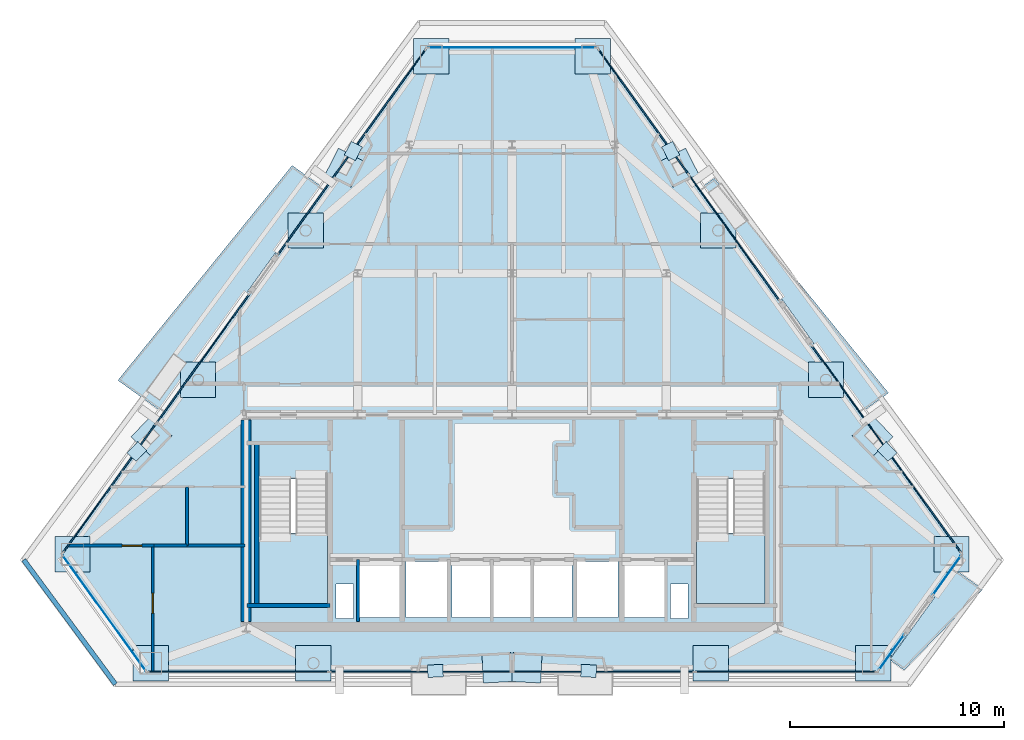
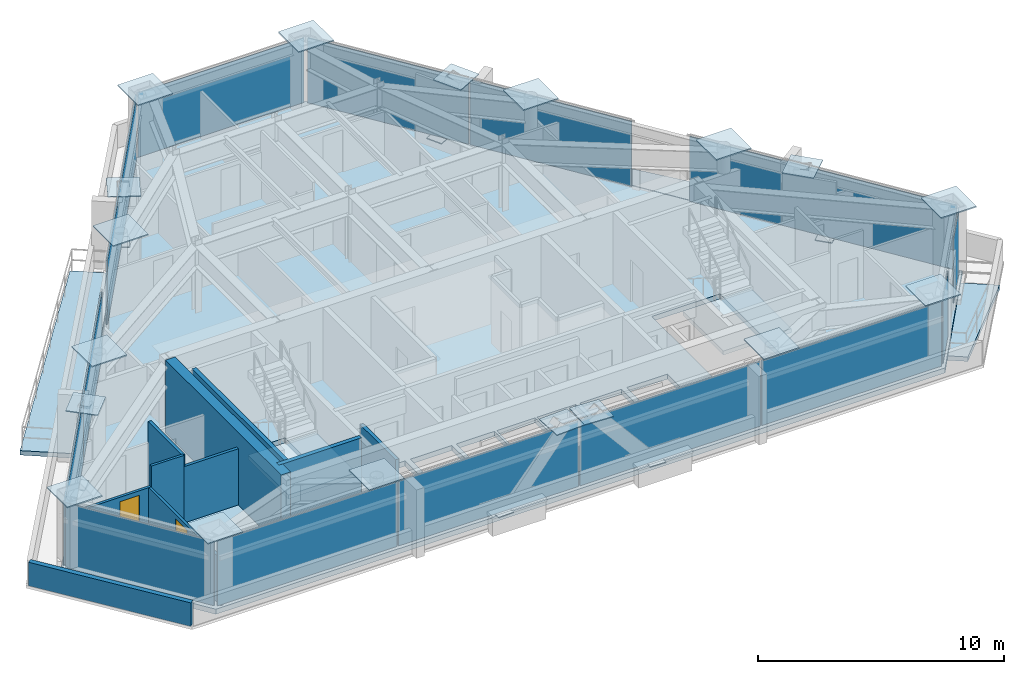
# One storey, part 6 of 11: 38 plates, 10 walls, 6 slabs, 2 doors, 2 openings, 11 elements without a shape of their own.
"""IFC4 building model written with IfcOpenShell, lengths in metres."""

from ifc_helpers import new_model, si_unit, direction, frame, frame_2d, origin, origin_2d, place, context, subcontext, project, spatial, polyline, rectangle, outline, extrude, source, transform, mapped, material, layer, layer_set, type_object, type_shapes, element, fill, aggregate, save


model = new_model("IFC4")

# Units and contexts
model_context = context("Model", 3, precision=1e-05, world=origin(), true_north=direction((0.0, 1.0)))
body_context = subcontext(model_context, "Body", "Model", "MODEL_VIEW")
ifc_project = project(units=[si_unit("LENGTHUNIT", "METRE"), si_unit("AREAUNIT", "SQUARE_METRE"), si_unit("VOLUMEUNIT", "CUBIC_METRE"), si_unit("PLANEANGLEUNIT", "RADIAN"), si_unit("MASSUNIT", "GRAM", prefix="KILO")], contexts=[model_context])

# Site, building, storey
site_placement = place(None, origin())
site = spatial("IfcSite", under=ifc_project, at=site_placement, CompositionType="ELEMENT")
building_placement = place(site_placement, origin())
building = spatial("IfcBuilding", under=site, at=building_placement, Name="Talgorran Terracotta Tower", CompositionType="ELEMENT")
storey_placement = place(building_placement, frame((0.0, 0.0, 185.699951171875)))
storey = spatial("IfcBuildingStorey", under=building, at=storey_placement, Name="L48", CompositionType="ELEMENT", Elevation=185.699951171875)

# Plates
ifc_material_1 = material(Name="Steel Grade 350 (350L0)", Category="steel")
ifc_layer_1 = layer(ifc_material_1, 0.031982421875, Name="PL_CAP_MN07")
ifc_layer_set_1 = layer_set([ifc_layer_1], Name="Steel Grade 350 (350L0)")
plate_type_1 = type_object("IfcPlateType", Name="PL_CAP_MN07", PredefinedType="USERDEFINED", material=ifc_layer_set_1)
for number, where, z_axis, x_axis, name in (
    (1, (-3.57421875, -16.1455078125, -0.005859375), (0.0, 0.0, 1.0), (0.998745710682, 0.050070004933, 0.0), "L48 Diagonal Frame End Cap SWF Bot"),
    (2, (3.57421875, -16.1455078125, -0.005859375), (0.0, 0.0, 1.0), (-0.998745710682, 0.050070004933, 0.0), "L48 Diagonal Frame End Cap SEF Bot"),
    (3, (17.489013671875, -5.918701171875, -0.005859375), (0.0, 0.0, 1.0), (-0.692898619766, 0.721035021845, 0.0), "L48 Diagonal Frame End Cap NEL Bot"),
    (4, (7.398681640625, 8.092041015625, -0.005859375), (0.0, 0.0, 1.0), (0.456166281949, -0.889894557357, 0.0), "L48 Diagonal Frame End Cap NEU Bot"),
    (5, (-7.398681640625, 8.092041015625, -0.005859375), (0.0, 0.0, 1.0), (-0.456166281949, -0.889894557357, 0.0), "L48 Diagonal Frame End Cap NWU Bot"),
    (6, (-17.489013671875, -5.918701171875, -0.005859375), (0.0, 0.0, 1.0), (0.692898619766, 0.721035021845, 0.0), "L48 Diagonal Frame End Cap NWL Bot"),
):
    element("IfcPlate", number, at=place(storey_placement, frame(where, z_axis=z_axis, x_axis=x_axis)), inside=storey, type_object=plate_type_1, Name=name, ObjectType="CAP PLATE", PredefinedType="USERDEFINED", context=body_context, shape_type="SweptSolid", body=[
        extrude(rectangle(XDim=0.719970703125, YDim=0.580078125, at=origin_2d()), origin(), (0.0, 0.0, 1.0), 0.031982421875),
    ])
ifc_layer_2 = layer(ifc_material_1, 0.06005859375, Name="PL_NODE_MN01")
ifc_layer_set_2 = layer_set([ifc_layer_2], Name="Steel Grade 350 (350L0)")
plate_type_2 = type_object("IfcPlateType", Name="PL_NODE_MN01", PredefinedType="USERDEFINED", material=ifc_layer_set_2)
for number, where, z_axis, x_axis, name in (
    (7, (-20.49365234375, -10.706787109375, 3.5849609375), (0.0, 0.0, 1.0), (1.0, 0.0, 0.0), "L48 Mega-Column Cap Plate MC1"),
    (8, (-16.8359375, -15.78564453125, 3.5849609375), (0.0, 0.0, 1.0), (1.0, 0.0, 0.0), "L48 Mega-Column Cap Plate MC2"),
    (9, (16.8359375, -15.78564453125, 3.5849609375), (0.0, 0.0, 1.0), (1.0, 0.0, 0.0), "L48 Mega-Column Cap Plate MC3"),
    (10, (20.49365234375, -10.706787109375, 3.5849609375), (0.0, 0.0, 1.0), (1.0, 0.0, 0.0), "L48 Mega-Column Cap Plate MC4"),
    (11, (3.765869140625, 12.52001953125, 3.5849609375), (0.0, 0.0, 1.0), (1.0, 0.0, 0.0), "L48 Mega-Column Cap Plate MC5"),
    (12, (-3.765869140625, 12.52001953125, 3.5849609375), (0.0, 0.0, 1.0), (1.0, 0.0, 0.0), "L48 Mega-Column Cap Plate MC6"),
    (13, (-9.259765625, -15.78564453125, 3.5849609375), (0.0, 0.0, 1.0), (1.0, 0.0, 0.0), "L48 Facet Column Cap Plate FC1"),
    (14, (9.259765625, -15.78564453125, 3.5849609375), (0.0, 0.0, 1.0), (1.0, 0.0, 0.0), "L48 Facet Column Cap Plate FC2"),
    (15, (14.638916015625, -2.577392578125, 3.5849609375), (0.0, 0.0, 1.0), (1.0, 0.0, 0.0), "L48 Facet Column Cap Plate FC3"),
    (16, (9.62060546875, 4.390625, 3.5849609375), (0.0, 0.0, 1.0), (1.0, 0.0, 0.0), "L48 Facet Column Cap Plate FC4"),
    (17, (-9.62060546875, 4.390625, 3.5849609375), (0.0, 0.0, 1.0), (1.0, 0.0, 0.0), "L48 Facet Column Cap Plate FC5"),
    (18, (-14.638916015625, -2.577392578125, 3.5849609375), (0.0, 0.0, 1.0), (1.0, 0.0, 0.0), "L48 Facet Column Cap Plate FC6"),
):
    element("IfcPlate", number, at=place(storey_placement, frame(where, z_axis=z_axis, x_axis=x_axis)), inside=storey, type_object=plate_type_2, Name=name, ObjectType="NODE PLATE", PredefinedType="USERDEFINED", context=body_context, shape_type="SweptSolid", body=[
        extrude(rectangle(XDim=1.64990234375, YDim=1.64990234375, at=origin_2d()), origin(), (0.0, 0.0, 1.0), 0.06005859375),
    ])
ifc_layer_3 = layer(ifc_material_1, 0.050048828125, Name="PL_NODE_MN03")
ifc_layer_set_3 = layer_set([ifc_layer_3], Name="Steel Grade 350 (350L0)")
plate_type_3 = type_object("IfcPlateType", Name="PL_NODE_MN03", PredefinedType="USERDEFINED", material=ifc_layer_set_3)
for number, where, z_axis, x_axis, name in (
    (19, (-0.694580078125, -16.001220703125, 3.31494140625), (0.0, 0.0, 1.0), (0.998745710682, 0.050070004933, 0.0), "L48 Diagonal Frame End Cap SWF Top"),
    (20, (0.694580078125, -16.001220703125, 3.31494140625), (0.0, 0.0, 1.0), (-0.998745710682, 0.050070004933, 0.0), "L48 Diagonal Frame End Cap SEF Top"),
    (21, (16.80810546875, -5.210205078125, 3.31494140625), (0.0, 0.0, 1.0), (-0.692898619766, 0.721035021845, 0.0), "L48 Diagonal Frame End Cap NEL Top"),
    (22, (7.7958984375, 7.31689453125, 3.31494140625), (0.0, 0.0, 1.0), (0.456166281949, -0.889894557357, 0.0), "L48 Diagonal Frame End Cap NEU Top"),
    (23, (-7.7958984375, 7.31689453125, 3.31494140625), (0.0, 0.0, 1.0), (-0.456166281949, -0.889894557357, 0.0), "L48 Diagonal Frame End Cap NWU Top"),
    (24, (-16.80810546875, -5.210205078125, 3.31494140625), (0.0, 0.0, 1.0), (0.692898619766, 0.721035021845, 0.0), "L48 Diagonal Frame End Cap NWL Top"),
):
    element("IfcPlate", number, at=place(storey_placement, frame(where, z_axis=z_axis, x_axis=x_axis)), inside=storey, type_object=plate_type_3, Name=name, ObjectType="NODE PLATE", PredefinedType="USERDEFINED", context=body_context, shape_type="SweptSolid", body=[
        extrude(rectangle(XDim=1.35009765625, YDim=1.35009765625, at=origin_2d()), origin(), (0.0, 0.0, 1.0), 0.050048828125),
    ])

# Slabs
ifc_material_2 = material(Name="Concrete C40/50", Category="concrete")
ifc_layer_4 = layer(ifc_material_2, 0.219970703125, Name="SL_BALCONY_220")
ifc_layer_set_4 = layer_set([ifc_layer_4], Name="Concrete C40/50")
slab_type_1 = type_object("IfcSlabType", Name="SL_BALCONY_220", PredefinedType="FLOOR", material=ifc_layer_set_4)
slab_1_placement = place(storey_placement, frame((0.0, 0.0, -0.219970703125)))
element("IfcSlab", 25, at=slab_1_placement, inside=storey, type_object=slab_type_1, Name="L48 Outdoor Wave Balcony BAL-NE", PredefinedType="FLOOR", context=body_context, shape_type="SweptSolid", body=[
    extrude(outline(polyline([(8.8330078125, 6.399658203125), (16.35791015625, -4.048828125), (17.554443359375, -3.187255859375), (9.428466796875, 6.82861328125), (8.8330078125, 6.399658203125)])), origin(), (0.0, 0.0, 1.0), 0.219970703125),
])
slab_2_placement = place(storey_placement, frame((0.0, 0.0, -0.219970703125)))
element("IfcSlab", 26, at=slab_2_placement, inside=storey, type_object=slab_type_1, Name="L48 Outdoor Wave Balcony BAL-NW", PredefinedType="FLOOR", context=body_context, shape_type="SweptSolid", body=[
    extrude(outline(polyline([(-16.35791015625, -4.048828125), (-8.8330078125, 6.399658203125), (-10.24951171875, 7.419921875), (-18.37548828125, -2.595947265625), (-16.35791015625, -4.048828125)])), origin(), (0.0, 0.0, 1.0), 0.219970703125),
])
slab_3_placement = place(storey_placement, frame((0.0, 0.0, -0.219970703125)))
element("IfcSlab", 27, at=slab_3_placement, inside=storey, type_object=slab_type_1, Name="L48 Outdoor Wave Balcony BAL-SE", PredefinedType="FLOOR", context=body_context, shape_type="SweptSolid", body=[
    extrude(outline(polyline([(20.64990234375, -11.4052734375), (17.611083984375, -15.62451171875), (18.28125, -16.107177734375), (21.946533203125, -12.339111328125), (20.64990234375, -11.4052734375)])), origin(), (0.0, 0.0, 1.0), 0.219970703125),
])

# Stair, slab
stair_type = type_object("IfcStairType", Name="ST_FIRE_SCISSOR", PredefinedType="HALF_TURN_STAIR", material=ifc_material_2)
stair_1_placement = place(storey_placement, origin())
stair_1 = element("IfcStair", 28, at=stair_1_placement, inside=storey, type_object=stair_type, Name="L48 West Protected Fire Stair ST-01", PredefinedType="HALF_TURN_STAIR")
ifc_layer_5 = layer(ifc_material_2, 0.199951171875, Name="SL_LANDING_200")
ifc_layer_set_5 = layer_set([ifc_layer_5], Name="Concrete C40/50")
slab_type_2 = type_object("IfcSlabType", Name="SL_LANDING_200", PredefinedType="LANDING", material=ifc_layer_set_5)
slab_4_placement = place(storey_placement, frame((0.0, 0.0, 1.60009765625)))
slab_4 = element("IfcSlab", 29, at=slab_4_placement, type_object=slab_type_2, Name="ST-01 landing 1", PredefinedType="LANDING", context=body_context, shape_type="SweptSolid", body=[
    extrude(outline(polyline([(-11.800048828125, -9.719970703125), (-11.800048828125, -13.0), (-8.60009765625, -13.0), (-8.60009765625, -9.719970703125), (-11.800048828125, -9.719970703125)])), origin(), (0.0, 0.0, 1.0), 0.199951171875),
])
aggregate(stair_1, [slab_4])

stair_2_placement = place(storey_placement, origin())
stair_2 = element("IfcStair", 30, at=stair_2_placement, inside=storey, type_object=stair_type, Name="L48 East Protected Fire Stair ST-02", PredefinedType="HALF_TURN_STAIR")
slab_5_placement = place(storey_placement, frame((0.0, 0.0, 1.60009765625)))
slab_5 = element("IfcSlab", 31, at=slab_5_placement, type_object=slab_type_2, Name="ST-02 landing 1", PredefinedType="LANDING", context=body_context, shape_type="SweptSolid", body=[
    extrude(outline(polyline([(8.60009765625, -9.719970703125), (8.60009765625, -13.0), (11.800048828125, -13.0), (11.800048828125, -9.719970703125), (8.60009765625, -9.719970703125)])), origin(), (0.0, 0.0, 1.0), 0.199951171875),
])
aggregate(stair_2, [slab_5])

# Slab
ifc_layer_6 = layer(ifc_material_2, 0.25, Name="SL_TOWER_250")
ifc_layer_set_6 = layer_set([ifc_layer_6], Name="Concrete C40/50")
slab_type_3 = type_object("IfcSlabType", Name="SL_TOWER_250", PredefinedType="FLOOR", material=ifc_layer_set_6)
slab_6_placement = place(storey_placement, frame((0.0, 0.0, -0.25)))
element("IfcSlab", 32, at=slab_6_placement, inside=storey, type_object=slab_type_3, Name="Storey L48 Structural Floor Slab", PredefinedType="FLOOR", context=body_context, shape_type="SweptSolid", body=[
    extrude(outline(polyline([(-21.134521484375, -10.706787109375), (-17.102294921875, -16.3056640625), (17.102294921875, -16.3056640625), (21.134521484375, -10.706787109375), (4.0322265625, 13.0400390625), (-4.0322265625, 13.0400390625), (-21.134521484375, -10.706787109375)]), holes=[polyline([(-11.800048828125, -7.199951171875), (-11.800048828125, -13.0), (-8.60009765625, -13.0), (-8.60009765625, -7.199951171875), (-11.800048828125, -7.199951171875)]), polyline([(8.60009765625, -7.199951171875), (8.60009765625, -13.0), (11.800048828125, -13.0), (11.800048828125, -7.199951171875), (8.60009765625, -7.199951171875)]), polyline([(-7.10009765625, -13.64990234375), (-5.199951171875, -13.64990234375), (-5.199951171875, -11.050048828125), (-7.10009765625, -11.050048828125), (-7.10009765625, -13.64990234375)]), polyline([(5.199951171875, -13.64990234375), (7.10009765625, -13.64990234375), (7.10009765625, -11.050048828125), (5.199951171875, -11.050048828125), (5.199951171875, -13.64990234375)]), polyline([(3.0, -13.64990234375), (4.949951171875, -13.64990234375), (4.949951171875, -11.050048828125), (3.0, -11.050048828125), (3.0, -13.64990234375)]), polyline([(-4.949951171875, -13.64990234375), (-3.0, -13.64990234375), (-3.0, -11.050048828125), (-4.949951171875, -11.050048828125), (-4.949951171875, -13.64990234375)]), polyline([(-2.800048828125, -13.64990234375), (-1.0, -13.64990234375), (-1.0, -11.050048828125), (-2.800048828125, -11.050048828125), (-2.800048828125, -13.64990234375)]), polyline([(-0.89990234375, -13.64990234375), (0.89990234375, -13.64990234375), (0.89990234375, -11.050048828125), (-0.89990234375, -11.050048828125), (-0.89990234375, -13.64990234375)]), polyline([(1.0, -13.64990234375), (2.800048828125, -13.64990234375), (2.800048828125, -11.050048828125), (1.0, -11.050048828125), (1.0, -13.64990234375)]), polyline([(-8.199951171875, -13.699951171875), (-7.39990234375, -13.699951171875), (-7.39990234375, -12.10009765625), (-8.199951171875, -12.10009765625), (-8.199951171875, -13.699951171875)]), polyline([(7.39990234375, -13.699951171875), (8.199951171875, -13.699951171875), (8.199951171875, -12.10009765625), (7.39990234375, -12.10009765625), (7.39990234375, -13.699951171875)])]), origin(), (0.0, 0.0, 1.0), 0.25),
])

# Curtain wall, plate
ifc_material_3 = material(Name="High-Wind Unitised Glazing", Category="glass")
ifc_layer_7 = layer(ifc_material_3, 0.2099609375, Name="CW_SYS3_RES_HIGH")
ifc_layer_set_7 = layer_set([ifc_layer_7], Name="High-Wind Unitised Glazing")
curtain_wall_type = type_object("IfcCurtainWallType", Name="CW_SYS3_RES_HIGH", PredefinedType="NOTDEFINED", material=ifc_layer_set_7)
curtain_wall_1_placement = place(storey_placement, origin())
curtain_wall_1 = element("IfcCurtainWall", 33, at=curtain_wall_1_placement, inside=storey, type_object=curtain_wall_type, Name="CW-L48-F0", PredefinedType="NOTDEFINED")
ifc_material_4 = material(Name="High-Wind Acoustic Vision Glass", Category="glass")
ifc_layer_8 = layer(ifc_material_4, 0.031982421875, Name="PLT_VISION_32")
ifc_layer_set_8 = layer_set([ifc_layer_8], Name="High-Wind Acoustic Vision Glass")
plate_type_4 = type_object("IfcPlateType", Name="PLT_VISION_32", PredefinedType="CURTAIN_PANEL", material=ifc_layer_set_8)
shared_shape_1 = source(origin(), body_context, "Body", "SweptSolid", [
    extrude(rectangle(XDim=6.61181640625, YDim=0.031982421875, at=origin_2d()), origin(), (0.0, 0.0, 1.0), 3.2099609375),
])
plate_1_placement = place(storey_placement, frame((-19.013671875, -13.4462890625, 0.070068359375), z_axis=(0.0, 0.0, 1.0), x_axis=(0.584408506612, -0.811459609223, 0.0)))
plate_1 = element("IfcPlate", 34, at=plate_1_placement, type_object=plate_type_4, Name="CW-L48-0 panel 1.1", PredefinedType="CURTAIN_PANEL", context=body_context, shape_type="MappedRepresentation", body=[
    mapped(shared_shape_1, transform((0.0, 0.0, 0.0), scale=1.0)),
])
aggregate(curtain_wall_1, [plate_1])

# Curtain wall, plates
curtain_wall_2_placement = place(storey_placement, origin())
curtain_wall_2 = element("IfcCurtainWall", 35, at=curtain_wall_2_placement, inside=storey, type_object=curtain_wall_type, Name="CW-L48-F1", PredefinedType="NOTDEFINED")
ifc_material_5 = material(Name="Terracotta Insulated Spandrel", Category="masonry")
ifc_layer_9 = layer(ifc_material_5, 0.06494140625, Name="PLT_SPANDREL_TERRA")
ifc_layer_set_9 = layer_set([ifc_layer_9], Name="Terracotta Insulated Spandrel")
plate_type_5 = type_object("IfcPlateType", Name="PLT_SPANDREL_TERRA", PredefinedType="SHEET", material=ifc_layer_set_9)
shared_shape_2 = source(origin(), body_context, "Body", "SweptSolid", [
    extrude(rectangle(XDim=8.415283203125, YDim=0.06494140625, at=origin_2d()), origin(), (0.0, 0.0, 1.0), 3.2099609375),
])
plate_2_placement = place(storey_placement, frame((-12.76318359375, -16.185546875, 0.070068359375), z_axis=(0.0, 0.0, 1.0), x_axis=(1.0, 0.0, 0.0)))
plate_2 = element("IfcPlate", 36, at=plate_2_placement, type_object=plate_type_5, Name="CW-L48-1 panel 1.1", PredefinedType="CURTAIN_PANEL", context=body_context, shape_type="MappedRepresentation", body=[
    mapped(shared_shape_2, transform((0.0, 0.0, 0.0), scale=1.0)),
])
plate_3_placement = place(storey_placement, frame((12.76318359375, -16.185546875, 0.070068359375), z_axis=(0.0, 0.0, 1.0), x_axis=(1.0, 0.0, 0.0)))
plate_3 = element("IfcPlate", 37, at=plate_3_placement, type_object=plate_type_5, Name="CW-L48-1 panel 4.1", PredefinedType="CURTAIN_PANEL", context=body_context, shape_type="MappedRepresentation", body=[
    mapped(shared_shape_2, transform((0.0, 0.0, 0.0), scale=1.0)),
])
shared_shape_3 = source(origin(), body_context, "Body", "SweptSolid", [
    extrude(rectangle(XDim=8.450439453125, YDim=0.06494140625, at=origin_2d()), origin(), (0.0, 0.0, 1.0), 3.2099609375),
])
plate_4_placement = place(storey_placement, frame((-4.26025390625, -16.185546875, 0.070068359375), z_axis=(0.0, 0.0, 1.0), x_axis=(1.0, 0.0, 0.0)))
plate_4 = element("IfcPlate", 38, at=plate_4_placement, type_object=plate_type_5, Name="CW-L48-1 panel 2.1", PredefinedType="CURTAIN_PANEL", context=body_context, shape_type="MappedRepresentation", body=[
    mapped(shared_shape_3, transform((0.0, 0.0, 0.0), scale=1.0)),
])
plate_5_placement = place(storey_placement, frame((4.26025390625, -16.185546875, 0.070068359375), z_axis=(0.0, 0.0, 1.0), x_axis=(1.0, 0.0, 0.0)))
plate_5 = element("IfcPlate", 39, at=plate_5_placement, type_object=plate_type_5, Name="CW-L48-1 panel 3.1", PredefinedType="CURTAIN_PANEL", context=body_context, shape_type="MappedRepresentation", body=[
    mapped(shared_shape_3, transform((0.0, 0.0, 0.0), scale=1.0)),
])
aggregate(curtain_wall_2, [plate_2, plate_4, plate_5, plate_3])

# Curtain wall, plate
curtain_wall_3_placement = place(storey_placement, origin())
curtain_wall_3 = element("IfcCurtainWall", 40, at=curtain_wall_3_placement, inside=storey, type_object=curtain_wall_type, Name="CW-L48-F30", PredefinedType="NOTDEFINED")
shared_shape_4 = source(origin(), body_context, "Body", "SweptSolid", [
    extrude(rectangle(XDim=2.01171875, YDim=0.031982421875, at=origin_2d()), origin(), (0.0, 0.0, 1.0), 3.2099609375),
])
plate_6_placement = place(storey_placement, frame((17.69287109375, -15.280029296875, 0.070068359375), z_axis=(0.0, 0.0, 1.0), x_axis=(0.584398990267, 0.811466462754, 0.0)))
plate_6 = element("IfcPlate", 41, at=plate_6_placement, type_object=plate_type_4, Name="CW-L48-30 panel 1.1", PredefinedType="CURTAIN_PANEL", context=body_context, shape_type="MappedRepresentation", body=[
    mapped(shared_shape_4, transform((0.0, 0.0, 0.0), scale=1.0)),
])
aggregate(curtain_wall_3, [plate_6])

curtain_wall_4_placement = place(storey_placement, origin())
curtain_wall_4 = element("IfcCurtainWall", 42, at=curtain_wall_4_placement, inside=storey, type_object=curtain_wall_type, Name="CW-L48-F31", PredefinedType="NOTDEFINED")
shared_shape_5 = source(origin(), body_context, "Body", "SweptSolid", [
    extrude(rectangle(XDim=2.219970703125, YDim=0.031982421875, at=origin_2d()), origin(), (0.0, 0.0, 1.0), 3.2099609375),
])
plate_7_placement = place(storey_placement, frame((20.273681640625, -11.69677734375, 0.070068359375), z_axis=(0.0, 0.0, 1.0), x_axis=(0.584416347221, 0.811453962404, 0.0)))
plate_7 = element("IfcPlate", 43, at=plate_7_placement, type_object=plate_type_4, Name="CW-L48-31 panel 1.1", PredefinedType="CURTAIN_PANEL", context=body_context, shape_type="MappedRepresentation", body=[
    mapped(shared_shape_5, transform((0.0, 0.0, 0.0), scale=1.0)),
])
aggregate(curtain_wall_4, [plate_7])

curtain_wall_5_placement = place(storey_placement, origin())
curtain_wall_5 = element("IfcCurtainWall", 44, at=curtain_wall_5_placement, inside=storey, type_object=curtain_wall_type, Name="CW-L48-F40", PredefinedType="NOTDEFINED")
shared_shape_6 = source(origin(), body_context, "Body", "SweptSolid", [
    extrude(rectangle(XDim=11.878662109375, YDim=0.06494140625, at=origin_2d()), origin(), (0.0, 0.0, 1.0), 3.2099609375),
])
plate_8_placement = place(storey_placement, frame((17.451416015625, -5.7978515625, 0.070068359375), z_axis=(0.0, 0.0, 1.0), x_axis=(-0.584406424461, 0.811461108772, 0.0)))
plate_8 = element("IfcPlate", 45, at=plate_8_placement, type_object=plate_type_5, Name="CW-L48-40 panel 1.1", PredefinedType="CURTAIN_PANEL", context=body_context, shape_type="MappedRepresentation", body=[
    mapped(shared_shape_6, transform((0.0, 0.0, 0.0), scale=1.0)),
])
aggregate(curtain_wall_5, [plate_8])

# Curtain wall, plates
curtain_wall_6_placement = place(storey_placement, origin())
curtain_wall_6 = element("IfcCurtainWall", 46, at=curtain_wall_6_placement, inside=storey, type_object=curtain_wall_type, Name="CW-L48-F41", PredefinedType="NOTDEFINED")
shared_shape_7 = source(origin(), body_context, "Body", "SweptSolid", [
    extrude(rectangle(XDim=7.173828125, YDim=0.06494140625, at=origin_2d()), origin(), (0.0, 0.0, 1.0), 3.2099609375),
])
plate_9_placement = place(storey_placement, frame((10.36474609375, 4.0419921875, 0.070068359375), z_axis=(0.0, 0.0, 1.0), x_axis=(-0.584410581777, 0.811458114697, 0.0)))
plate_9 = element("IfcPlate", 47, at=plate_9_placement, type_object=plate_type_5, Name="CW-L48-41 panel 1.1", PredefinedType="CURTAIN_PANEL", context=body_context, shape_type="MappedRepresentation", body=[
    mapped(shared_shape_7, transform((0.0, 0.0, 0.0), scale=1.0)),
])
plate_10_placement = place(storey_placement, frame((6.13134765625, 9.920166015625, 0.070068359375), z_axis=(0.0, 0.0, 1.0), x_axis=(-0.584410581777, 0.811458114697, 0.0)))
plate_10 = element("IfcPlate", 48, at=plate_10_placement, type_object=plate_type_5, Name="CW-L48-41 panel 2.1", PredefinedType="CURTAIN_PANEL", context=body_context, shape_type="MappedRepresentation", body=[
    mapped(shared_shape_7, transform((0.0, 0.0, 0.0), scale=1.0)),
])
aggregate(curtain_wall_6, [plate_9, plate_10])

# Curtain wall, plate
curtain_wall_7_placement = place(storey_placement, origin())
curtain_wall_7 = element("IfcCurtainWall", 49, at=curtain_wall_7_placement, inside=storey, type_object=curtain_wall_type, Name="CW-L48-F4", PredefinedType="NOTDEFINED")
shared_shape_8 = source(origin(), body_context, "Body", "SweptSolid", [
    extrude(rectangle(XDim=7.801513671875, YDim=0.031982421875, at=origin_2d()), origin(), (0.0, 0.0, 1.0), 3.2099609375),
])
type_shapes(plate_type_4, [shared_shape_1, shared_shape_4, shared_shape_5, shared_shape_8])
plate_11_placement = place(storey_placement, frame((0.0, 12.920166015625, 0.070068359375), z_axis=(0.0, 0.0, 1.0), x_axis=(-1.0, 0.0, 0.0)))
plate_11 = element("IfcPlate", 50, at=plate_11_placement, type_object=plate_type_4, Name="CW-L48-4 panel 1.1", PredefinedType="CURTAIN_PANEL", context=body_context, shape_type="MappedRepresentation", body=[
    mapped(shared_shape_8, transform((0.0, 0.0, 0.0), scale=1.0)),
])
aggregate(curtain_wall_7, [plate_11])

curtain_wall_8_placement = place(storey_placement, origin())
curtain_wall_8 = element("IfcCurtainWall", 51, at=curtain_wall_8_placement, inside=storey, type_object=curtain_wall_type, Name="CW-L48-F60", PredefinedType="NOTDEFINED")
shared_shape_9 = source(origin(), body_context, "Body", "SweptSolid", [
    extrude(rectangle(XDim=11.76318359375, YDim=0.06494140625, at=origin_2d()), origin(), (0.0, 0.0, 1.0), 3.2099609375),
])
plate_12_placement = place(storey_placement, frame((-7.47216796875, 8.05810546875, 0.070068359375), z_axis=(0.0, 0.0, 1.0), x_axis=(-0.584403871509, -0.811462947376, 0.0)))
plate_12 = element("IfcPlate", 52, at=plate_12_placement, type_object=plate_type_5, Name="CW-L48-60 panel 1.1", PredefinedType="CURTAIN_PANEL", context=body_context, shape_type="MappedRepresentation", body=[
    mapped(shared_shape_9, transform((0.0, 0.0, 0.0), scale=1.0)),
])
aggregate(curtain_wall_8, [plate_12])

# Curtain wall, plates
curtain_wall_9_placement = place(storey_placement, origin())
curtain_wall_9 = element("IfcCurtainWall", 53, at=curtain_wall_9_placement, inside=storey, type_object=curtain_wall_type, Name="CW-L48-F61", PredefinedType="NOTDEFINED")
shared_shape_10 = source(origin(), body_context, "Body", "SweptSolid", [
    extrude(rectangle(XDim=7.381591796875, YDim=0.06494140625, at=origin_2d()), origin(), (0.0, 0.0, 1.0), 3.2099609375),
])
type_shapes(plate_type_5, [shared_shape_2, shared_shape_3, shared_shape_6, shared_shape_7, shared_shape_9, shared_shape_10])
plate_13_placement = place(storey_placement, frame((-14.41064453125, -1.57568359375, 0.070068359375), z_axis=(0.0, 0.0, 1.0), x_axis=(-0.584405180893, -0.811462004376, 0.0)))
plate_13 = element("IfcPlate", 54, at=plate_13_placement, type_object=plate_type_5, Name="CW-L48-61 panel 1.1", PredefinedType="CURTAIN_PANEL", context=body_context, shape_type="MappedRepresentation", body=[
    mapped(shared_shape_10, transform((0.0, 0.0, 0.0), scale=1.0)),
])
plate_14_placement = place(storey_placement, frame((-18.765380859375, -7.62255859375, 0.070068359375), z_axis=(0.0, 0.0, 1.0), x_axis=(-0.584405180893, -0.811462004376, 0.0)))
plate_14 = element("IfcPlate", 55, at=plate_14_placement, type_object=plate_type_5, Name="CW-L48-61 panel 2.1", PredefinedType="CURTAIN_PANEL", context=body_context, shape_type="MappedRepresentation", body=[
    mapped(shared_shape_10, transform((0.0, 0.0, 0.0), scale=1.0)),
])
aggregate(curtain_wall_9, [plate_13, plate_14])

# Walls
ifc_material_6 = material(Name="Concrete C50/60", Category="concrete")
ifc_layer_10 = layer(ifc_material_6, 0.199951171875, Name="WT_CORE_200")
ifc_layer_set_10 = layer_set([ifc_layer_10], Name="Concrete C50/60")
wall_type_1 = type_object("IfcWallType", Name="WT_CORE_200", PredefinedType="SOLIDWALL", material=ifc_layer_set_10)
wall_1_placement = place(storey_placement, frame((-12.35009765625, -13.10009765625, 0.0), z_axis=(0.0, 0.0, 1.0), x_axis=(1.0, 0.0, 0.0)))
element("IfcWall", 56, at=wall_1_placement, inside=storey, type_object=wall_type_1, Name="WL-L48-CW-ST1-S", PredefinedType="SOLIDWALL", context=body_context, shape_type="SweptSolid", body=[
    extrude(rectangle(XDim=3.8701171875, YDim=0.199951171875, at=frame_2d((1.93505859375, 0.0))), origin(), (0.0, 0.0, 1.0), 3.60009765625),
])
wall_2_placement = place(storey_placement, frame((-11.89990234375, -13.10009765625, 0.0), z_axis=(0.0, 0.0, 1.0), x_axis=(0.0, 1.0, 0.0)))
element("IfcWall", 57, at=wall_2_placement, inside=storey, type_object=wall_type_1, Name="WL-L48-CW-ST1-W", PredefinedType="SOLIDWALL", context=body_context, shape_type="SweptSolid", body=[
    extrude(rectangle(XDim=7.580078125, YDim=0.199951171875, at=frame_2d((3.7900390625, 0.0))), origin(), (0.0, 0.0, 1.0), 3.60009765625),
])
ifc_material_7 = material(Name="Concrete C65/80", Category="concrete")
ifc_layer_11 = layer(ifc_material_7, 0.449951171875, Name="WT_CORE_EXT")
ifc_layer_set_11 = layer_set([ifc_layer_11], Name="Concrete C65/80")
wall_type_2 = type_object("IfcWallType", Name="WT_CORE_EXT", PredefinedType="SHEAR", material=ifc_layer_set_11)
wall_3_placement = place(storey_placement, frame((-12.39990234375, -13.85009765625, 0.0), z_axis=(0.0, 0.0, 1.0), x_axis=(0.0, 1.0, 0.0)))
element("IfcWall", 58, at=wall_3_placement, inside=storey, type_object=wall_type_2, Name="WL-L48-CW-OUT-W", PredefinedType="SHEAR", context=body_context, shape_type="SweptSolid", body=[
    extrude(rectangle(XDim=9.400146484375, YDim=0.449951171875, at=frame_2d((4.7001953125, 0.0))), origin(), (0.0, 0.0, 1.0), 3.60009765625),
])
ifc_layer_12 = layer(ifc_material_2, 0.219970703125, Name="WT_PARAPET_RC")
ifc_layer_set_12 = layer_set([ifc_layer_12], Name="Concrete C40/50")
wall_type_3 = type_object("IfcWallType", Name="WT_PARAPET_RC", PredefinedType="PARAPET", material=ifc_layer_set_12)
wall_4_placement = place(storey_placement, frame((-22.76611328125, -10.97021484375, -0.02001953125), z_axis=(0.0, 0.0, 1.0), x_axis=(0.593481202181, -0.804847850627, 0.0)))
element("IfcWall", 59, at=wall_4_placement, inside=storey, type_object=wall_type_3, Name="WL-L48-PARAPET-1", PredefinedType="PARAPET", context=body_context, shape_type="SweptSolid", body=[
    extrude(rectangle(XDim=7.20068359375, YDim=0.219970703125, at=frame_2d((3.600341796875, 0.0))), origin(), (0.0, 0.0, 1.0), 1.170166015625),
])

# Wall, opening, door
ifc_material_8 = material(Name="Insulated Steel Stud Plasterboard", Category="steel")
ifc_layer_13 = layer(ifc_material_8, 0.1201171875, Name="WT_PART_120")
ifc_layer_set_13 = layer_set([ifc_layer_13], Name="Insulated Steel Stud Plasterboard")
wall_type_4 = type_object("IfcWallType", Name="WT_PART_120", PredefinedType="PARTITIONING", material=ifc_layer_set_13)
wall_5_placement = place(storey_placement, frame((-16.760009765625, -16.185546875, 0.0), z_axis=(0.0, 0.0, 1.0), x_axis=(0.0, 1.0, 0.0)))
wall_5 = element("IfcWall", 60, at=wall_5_placement, inside=storey, type_object=wall_type_4, Name="WL-L48-W-L48-R16", PredefinedType="PARTITIONING", context=body_context, shape_type="SweptSolid", body=[
    extrude(rectangle(XDim=5.885498046875, YDim=0.1201171875, at=frame_2d((2.94287109375, 0.0))), origin(), (0.0, 0.0, 1.0), 2.324951171875),
])
opening_1_placement = place(wall_5_placement, frame((2.73193359375, 0.0, 0.0)))
opening_1 = element("IfcOpeningElement", 61, at=opening_1_placement, cuts=wall_5, Name="Opening DR-L48-R05", PredefinedType="OPENING", context=body_context, shape_type="SweptSolid", body=[
    extrude(rectangle(XDim=0.925921875, YDim=2.10409765625, at=frame_2d((0.4599609375, 1.052001953125))), frame((0.0, 0.070068359375, 0.0), z_axis=(0.0, -1.0, 0.0), x_axis=(1.0, 0.0, 0.0)), (0.0, 0.0, 1.0), 0.14013671875),
])
ifc_material_9 = material(Name="Solid-Core Painted Timber", Category="wood")
door_type = type_object("IfcDoorType", Name="DT_INT_920", OperationType="NOTDEFINED", PredefinedType="DOOR", material=ifc_material_9)
door_1_placement = place(opening_1_placement, origin())
door_1 = element("IfcDoor", 62, at=door_1_placement, inside=storey, type_object=door_type, Name="DR-L48-R05", OperationType="SINGLE_SWING_LEFT", OverallHeight=2.10009765625, OverallWidth=0.919921875, PredefinedType="DOOR", context=body_context, shape_type="SweptSolid", body=[
    extrude(rectangle(XDim=0.919921875, YDim=2.10009765625, at=frame_2d((0.4599609375, 1.050048828125))), frame((0.0, 0.02490234375, 0.0), z_axis=(0.0, -1.0, 0.0), x_axis=(1.0, 0.0, 0.0)), (0.0, 0.0, 1.0), 0.050048828125),
])
fill(opening_1, door_1)

wall_6_placement = place(storey_placement, frame((-20.693603515625, -10.300048828125, 0.0), z_axis=(0.0, 0.0, 1.0), x_axis=(1.0, 0.0, 0.0)))
wall_6 = element("IfcWall", 63, at=wall_6_placement, inside=storey, type_object=wall_type_4, Name="WL-L48-W-L48-R14", PredefinedType="PARTITIONING", context=body_context, shape_type="SweptSolid", body=[
    extrude(rectangle(XDim=3.99365234375, YDim=0.1201171875, at=frame_2d((1.996826171875, 0.0))), origin(), (0.0, 0.0, 1.0), 2.324951171875),
])
opening_2_placement = place(wall_6_placement, frame((2.517578125, 0.0, 0.0)))
opening_2 = element("IfcOpeningElement", 64, at=opening_2_placement, cuts=wall_6, Name="Opening DR-L48-R04", PredefinedType="OPENING", context=body_context, shape_type="SweptSolid", body=[
    extrude(rectangle(XDim=0.925921875, YDim=2.10409765625, at=frame_2d((0.4599609375, 1.052001953125))), frame((0.0, 0.070068359375, 0.0), z_axis=(0.0, -1.0, 0.0), x_axis=(1.0, 0.0, 0.0)), (0.0, 0.0, 1.0), 0.14013671875),
])
door_2_placement = place(opening_2_placement, origin())
door_2 = element("IfcDoor", 65, at=door_2_placement, inside=storey, type_object=door_type, Name="DR-L48-R04", OperationType="SINGLE_SWING_RIGHT", OverallHeight=2.10009765625, OverallWidth=0.919921875, PredefinedType="DOOR", context=body_context, shape_type="SweptSolid", body=[
    extrude(rectangle(XDim=0.919921875, YDim=2.10009765625, at=frame_2d((0.4599609375, 1.050048828125))), frame((0.0, 0.02490234375, 0.0), z_axis=(0.0, -1.0, 0.0), x_axis=(1.0, 0.0, 0.0)), (0.0, 0.0, 1.0), 0.050048828125),
])
fill(opening_2, door_2)

# Walls
wall_7_placement = place(storey_placement, frame((-16.697998046875, -10.300048828125, 0.0), z_axis=(0.0, 0.0, 1.0), x_axis=(1.0, 0.0, 0.0)))
element("IfcWall", 66, at=wall_7_placement, inside=storey, type_object=wall_type_4, Name="WL-L48-W-L48-R15", PredefinedType="PARTITIONING", context=body_context, shape_type="SweptSolid", body=[
    extrude(rectangle(XDim=1.5380859375, YDim=0.1201171875, at=frame_2d((0.76904296875, 0.0))), origin(), (0.0, 0.0, 1.0), 3.35009765625),
])
ifc_material_10 = material(Name="Moisture-Resistant Stud Wall")
ifc_layer_14 = layer(ifc_material_10, 0.135009765625, Name="WT_PART_135")
ifc_layer_set_14 = layer_set([ifc_layer_14], Name="Moisture-Resistant Stud Wall")
wall_type_5 = type_object("IfcWallType", Name="WT_PART_135", PredefinedType="PARTITIONING", material=ifc_layer_set_14)
wall_8_placement = place(storey_placement, frame((-15.159912109375, -10.300048828125, 0.0), z_axis=(0.0, 0.0, 1.0), x_axis=(0.0, 1.0, 0.0)))
element("IfcWall", 67, at=wall_8_placement, inside=storey, type_object=wall_type_5, Name="WL-L48-W-L48-R12", PredefinedType="PARTITIONING", context=body_context, shape_type="SweptSolid", body=[
    extrude(rectangle(XDim=2.739990234375, YDim=0.135009765625, at=frame_2d((1.3701171875, 0.0))), origin(), (0.0, 0.0, 1.0), 3.35009765625),
])
wall_9_placement = place(storey_placement, frame((-15.159912109375, -10.300048828125, 0.0), z_axis=(0.0, 0.0, 1.0), x_axis=(1.0, 0.0, 0.0)))
element("IfcWall", 68, at=wall_9_placement, inside=storey, type_object=wall_type_5, Name="WL-L48-W-L48-R13", PredefinedType="PARTITIONING", context=body_context, shape_type="SweptSolid", body=[
    extrude(rectangle(XDim=2.719970703125, YDim=0.135009765625, at=frame_2d((1.35986328125, 0.0))), origin(), (0.0, 0.0, 1.0), 2.7919921875),
])
ifc_material_11 = material(Name="Fire-Rated Shaftwall")
ifc_layer_15 = layer(ifc_material_11, 0.159912109375, Name="WT_PART_150")
ifc_layer_set_15 = layer_set([ifc_layer_15], Name="Fire-Rated Shaftwall")
wall_type_6 = type_object("IfcWallType", Name="WT_PART_150", PredefinedType="PARTITIONING", material=ifc_layer_set_15)
wall_10_placement = place(storey_placement, frame((-7.179931640625, -13.85009765625, 0.0), z_axis=(0.0, 0.0, 1.0), x_axis=(0.0, 1.0, 0.0)))
element("IfcWall", 69, at=wall_10_placement, inside=storey, type_object=wall_type_6, Name="WL-L48-CW-RSW", PredefinedType="PARTITIONING", context=body_context, shape_type="SweptSolid", body=[
    extrude(rectangle(XDim=2.900146484375, YDim=0.159912109375, at=frame_2d((1.4501953125, 0.0))), origin(), (0.0, 0.0, 1.0), 2.47509765625),
])

save(model, "model.ifc")
